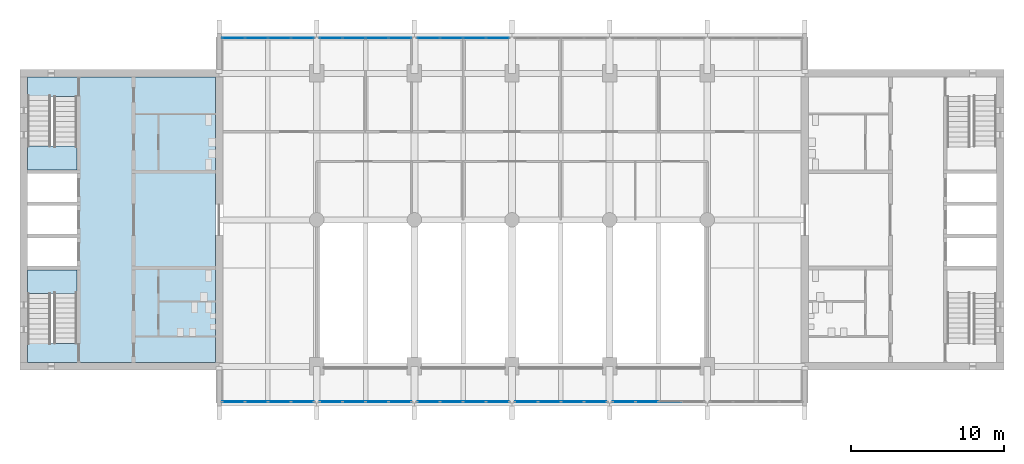
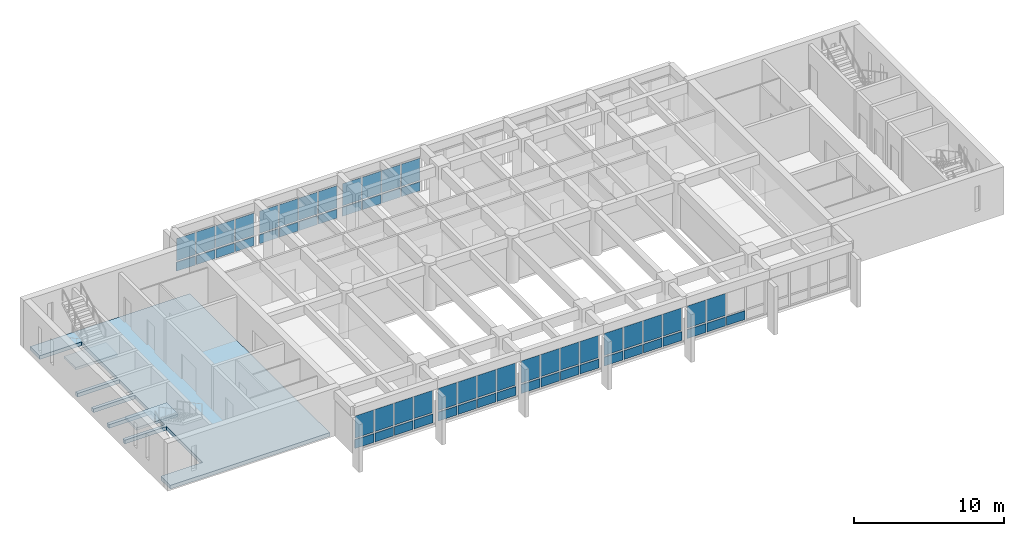
# One storey, part 7 of 15: 61 plates, 3 slabs, 10 elements without a shape of their own.
"""IFC4 building model written with IfcOpenShell, lengths in metres."""

from ifc_helpers import new_model, si_unit, direction, frame, origin, origin_2d, place, context, subcontext, project, spatial, polyline, rectangle, outline, extrude, material, layer, layer_set, type_object, element, aggregate, save


model = new_model("IFC4")

# Units and contexts
model_context = context("Model", 3, precision=1e-05, world=origin(), true_north=direction((0.0, 1.0)))
body_context = subcontext(model_context, "Body", "Model", "MODEL_VIEW")
ifc_project = project(units=[si_unit("LENGTHUNIT", "METRE"), si_unit("AREAUNIT", "SQUARE_METRE"), si_unit("VOLUMEUNIT", "CUBIC_METRE"), si_unit("PLANEANGLEUNIT", "RADIAN"), si_unit("MASSUNIT", "GRAM", prefix="KILO")], contexts=[model_context])

# Site, building, storey
site_placement = place(None, origin())
site = spatial("IfcSite", under=ifc_project, at=site_placement, CompositionType="ELEMENT")
building_placement = place(site_placement, origin())
building = spatial("IfcBuilding", under=site, at=building_placement, Name="Fogon Plaza Fire Station and Headquarters Tower", CompositionType="ELEMENT")
storey_placement = place(building_placement, frame((0.0, 0.0, 36.60009765625)))
storey = spatial("IfcBuildingStorey", under=building, at=storey_placement, Name="L09", CompositionType="ELEMENT", Elevation=36.60009765625)

# Slab
ifc_material_1 = material(Name="Concrete C40", Category="concrete")
ifc_layer_1 = layer(ifc_material_1, 0.300048828125)
ifc_layer_set_1 = layer_set([ifc_layer_1], Name="Concrete C40")
slab_type_1 = type_object("IfcSlabType", Name="Core Floor Slab RC 300", PredefinedType="FLOOR", material=ifc_layer_set_1)
slab_1_placement = place(storey_placement, frame((0.0, 0.0, -0.300048828125)))
element("IfcSlab", 1, at=slab_1_placement, inside=storey, type_object=slab_type_1, Name="Core A floor", PredefinedType="FLOOR", context=body_context, shape_type="SweptSolid", body=[
    extrude(outline(polyline([(13.050048828125, 35.110107421875), (13.050048828125, 33.85009765625), (25.35009765625, 33.85009765625), (25.35009765625, 52.550048828125), (13.050048828125, 52.550048828125), (13.050048828125, 51.2900390625), (16.27490234375, 51.2900390625), (16.27490234375, 46.47509765625), (13.050048828125, 46.47509765625), (13.050048828125, 46.22509765625), (16.27490234375, 46.22509765625), (16.27490234375, 44.375), (13.050048828125, 44.375), (13.050048828125, 44.125), (16.27490234375, 44.125), (16.27490234375, 42.27490234375), (13.050048828125, 42.27490234375), (13.050048828125, 42.02490234375), (16.27490234375, 42.02490234375), (16.27490234375, 40.175048828125), (13.050048828125, 40.175048828125), (13.050048828125, 39.925048828125), (16.27490234375, 39.925048828125), (16.27490234375, 35.110107421875), (13.050048828125, 35.110107421875)])), origin(), (0.0, 0.0, 1.0), 0.300048828125),
])

# Curtain wall, plates
ifc_material_2 = material(Name="Aluminium and glass", Category="aluminium")
ifc_layer_2 = layer(ifc_material_2, 0.14990234375)
ifc_layer_set_2 = layer_set([ifc_layer_2], Name="Aluminium and glass")
curtain_wall_type = type_object("IfcCurtainWallType", Name="Unitised Curtain Wall Run 6100x2880", PredefinedType="NOTDEFINED", material=ifc_layer_set_2)
curtain_wall_1_placement = place(storey_placement, origin())
curtain_wall_1 = element("IfcCurtainWall", 2, at=curtain_wall_1_placement, inside=storey, type_object=curtain_wall_type, Name="CW-6100x2880 S1 L09", PredefinedType="NOTDEFINED")
ifc_material_3 = material(Name="Insulated aluminium spandrel", Category="aluminium")
ifc_layer_3 = layer(ifc_material_3, 0.06005859375)
ifc_layer_set_3 = layer_set([ifc_layer_3], Name="Insulated aluminium spandrel")
plate_type_1 = type_object("IfcPlateType", Name="Insulated Spandrel Panel", PredefinedType="CURTAIN_PANEL", material=ifc_layer_set_3)
plate_1_placement = place(storey_placement, frame((26.534912109375, 31.280029296875, 0.1201171875), z_axis=(0.0, 0.0, 1.0), x_axis=(1.0, 0.0, 0.0)))
plate_1 = element("IfcPlate", 3, at=plate_1_placement, type_object=plate_type_1, Name="SP1 panel 1.1", PredefinedType="CURTAIN_PANEL", context=body_context, shape_type="SweptSolid", body=[
    extrude(rectangle(XDim=1.449951171875, YDim=0.06005859375, at=origin_2d()), origin(), (0.0, 0.0, 1.0), 0.719970703125),
])
plate_2_placement = place(storey_placement, frame((28.044921875, 31.280029296875, 0.1201171875), z_axis=(0.0, 0.0, 1.0), x_axis=(1.0, 0.0, 0.0)))
plate_2 = element("IfcPlate", 4, at=plate_2_placement, type_object=plate_type_1, Name="SP1 panel 2.1", PredefinedType="CURTAIN_PANEL", context=body_context, shape_type="SweptSolid", body=[
    extrude(rectangle(XDim=1.449951171875, YDim=0.06005859375, at=origin_2d()), origin(), (0.0, 0.0, 1.0), 0.719970703125),
])
plate_3_placement = place(storey_placement, frame((29.554931640625, 31.280029296875, 0.1201171875), z_axis=(0.0, 0.0, 1.0), x_axis=(1.0, 0.0, 0.0)))
plate_3 = element("IfcPlate", 5, at=plate_3_placement, type_object=plate_type_1, Name="SP1 panel 3.1", PredefinedType="CURTAIN_PANEL", context=body_context, shape_type="SweptSolid", body=[
    extrude(rectangle(XDim=1.449951171875, YDim=0.06005859375, at=origin_2d()), origin(), (0.0, 0.0, 1.0), 0.719970703125),
])
plate_4_placement = place(storey_placement, frame((31.06494140625, 31.280029296875, 0.1201171875), z_axis=(0.0, 0.0, 1.0), x_axis=(1.0, 0.0, 0.0)))
plate_4 = element("IfcPlate", 6, at=plate_4_placement, type_object=plate_type_1, Name="SP1 panel 4.1", PredefinedType="CURTAIN_PANEL", context=body_context, shape_type="SweptSolid", body=[
    extrude(rectangle(XDim=1.449951171875, YDim=0.06005859375, at=origin_2d()), origin(), (0.0, 0.0, 1.0), 0.719970703125),
])

curtain_wall_2_placement = place(storey_placement, origin())
curtain_wall_2 = element("IfcCurtainWall", 7, at=curtain_wall_2_placement, inside=storey, type_object=curtain_wall_type, Name="CW-6100x2880 S2 L09", PredefinedType="NOTDEFINED")
plate_5_placement = place(storey_placement, frame((32.93505859375, 31.280029296875, 0.1201171875), z_axis=(0.0, 0.0, 1.0), x_axis=(1.0, 0.0, 0.0)))
plate_5 = element("IfcPlate", 8, at=plate_5_placement, type_object=plate_type_1, Name="SP1 panel 1.1", PredefinedType="CURTAIN_PANEL", context=body_context, shape_type="SweptSolid", body=[
    extrude(rectangle(XDim=1.449951171875, YDim=0.06005859375, at=origin_2d()), origin(), (0.0, 0.0, 1.0), 0.719970703125),
])
plate_6_placement = place(storey_placement, frame((34.445068359375, 31.280029296875, 0.1201171875), z_axis=(0.0, 0.0, 1.0), x_axis=(1.0, 0.0, 0.0)))
plate_6 = element("IfcPlate", 9, at=plate_6_placement, type_object=plate_type_1, Name="SP1 panel 2.1", PredefinedType="CURTAIN_PANEL", context=body_context, shape_type="SweptSolid", body=[
    extrude(rectangle(XDim=1.449951171875, YDim=0.06005859375, at=origin_2d()), origin(), (0.0, 0.0, 1.0), 0.719970703125),
])
plate_7_placement = place(storey_placement, frame((35.955078125, 31.280029296875, 0.1201171875), z_axis=(0.0, 0.0, 1.0), x_axis=(1.0, 0.0, 0.0)))
plate_7 = element("IfcPlate", 10, at=plate_7_placement, type_object=plate_type_1, Name="SP1 panel 3.1", PredefinedType="CURTAIN_PANEL", context=body_context, shape_type="SweptSolid", body=[
    extrude(rectangle(XDim=1.449951171875, YDim=0.06005859375, at=origin_2d()), origin(), (0.0, 0.0, 1.0), 0.719970703125),
])
plate_8_placement = place(storey_placement, frame((37.465087890625, 31.280029296875, 0.1201171875), z_axis=(0.0, 0.0, 1.0), x_axis=(1.0, 0.0, 0.0)))
plate_8 = element("IfcPlate", 11, at=plate_8_placement, type_object=plate_type_1, Name="SP1 panel 4.1", PredefinedType="CURTAIN_PANEL", context=body_context, shape_type="SweptSolid", body=[
    extrude(rectangle(XDim=1.449951171875, YDim=0.06005859375, at=origin_2d()), origin(), (0.0, 0.0, 1.0), 0.719970703125),
])

curtain_wall_3_placement = place(storey_placement, origin())
curtain_wall_3 = element("IfcCurtainWall", 12, at=curtain_wall_3_placement, inside=storey, type_object=curtain_wall_type, Name="CW-6100x2880 S3 L09", PredefinedType="NOTDEFINED")
plate_9_placement = place(storey_placement, frame((39.3349609375, 31.280029296875, 0.1201171875), z_axis=(0.0, 0.0, 1.0), x_axis=(1.0, 0.0, 0.0)))
plate_9 = element("IfcPlate", 13, at=plate_9_placement, type_object=plate_type_1, Name="SP1 panel 1.1", PredefinedType="CURTAIN_PANEL", context=body_context, shape_type="SweptSolid", body=[
    extrude(rectangle(XDim=1.449951171875, YDim=0.06005859375, at=origin_2d()), origin(), (0.0, 0.0, 1.0), 0.719970703125),
])
plate_10_placement = place(storey_placement, frame((40.844970703125, 31.280029296875, 0.1201171875), z_axis=(0.0, 0.0, 1.0), x_axis=(1.0, 0.0, 0.0)))
plate_10 = element("IfcPlate", 14, at=plate_10_placement, type_object=plate_type_1, Name="SP1 panel 2.1", PredefinedType="CURTAIN_PANEL", context=body_context, shape_type="SweptSolid", body=[
    extrude(rectangle(XDim=1.449951171875, YDim=0.06005859375, at=origin_2d()), origin(), (0.0, 0.0, 1.0), 0.719970703125),
])
plate_11_placement = place(storey_placement, frame((42.35498046875, 31.280029296875, 0.1201171875), z_axis=(0.0, 0.0, 1.0), x_axis=(1.0, 0.0, 0.0)))
plate_11 = element("IfcPlate", 15, at=plate_11_placement, type_object=plate_type_1, Name="SP1 panel 3.1", PredefinedType="CURTAIN_PANEL", context=body_context, shape_type="SweptSolid", body=[
    extrude(rectangle(XDim=1.449951171875, YDim=0.06005859375, at=origin_2d()), origin(), (0.0, 0.0, 1.0), 0.719970703125),
])
plate_12_placement = place(storey_placement, frame((43.864990234375, 31.280029296875, 0.1201171875), z_axis=(0.0, 0.0, 1.0), x_axis=(1.0, 0.0, 0.0)))
plate_12 = element("IfcPlate", 16, at=plate_12_placement, type_object=plate_type_1, Name="SP1 panel 4.1", PredefinedType="CURTAIN_PANEL", context=body_context, shape_type="SweptSolid", body=[
    extrude(rectangle(XDim=1.449951171875, YDim=0.06005859375, at=origin_2d()), origin(), (0.0, 0.0, 1.0), 0.719970703125),
])

curtain_wall_4_placement = place(storey_placement, origin())
curtain_wall_4 = element("IfcCurtainWall", 17, at=curtain_wall_4_placement, inside=storey, type_object=curtain_wall_type, Name="CW-6100x2880 S4 L09", PredefinedType="NOTDEFINED")
plate_13_placement = place(storey_placement, frame((45.735107421875, 31.280029296875, 0.1201171875), z_axis=(0.0, 0.0, 1.0), x_axis=(1.0, 0.0, 0.0)))
plate_13 = element("IfcPlate", 18, at=plate_13_placement, type_object=plate_type_1, Name="SP1 panel 1.1", PredefinedType="CURTAIN_PANEL", context=body_context, shape_type="SweptSolid", body=[
    extrude(rectangle(XDim=1.449951171875, YDim=0.06005859375, at=origin_2d()), origin(), (0.0, 0.0, 1.0), 0.719970703125),
])
plate_14_placement = place(storey_placement, frame((47.2451171875, 31.280029296875, 0.1201171875), z_axis=(0.0, 0.0, 1.0), x_axis=(1.0, 0.0, 0.0)))
plate_14 = element("IfcPlate", 19, at=plate_14_placement, type_object=plate_type_1, Name="SP1 panel 2.1", PredefinedType="CURTAIN_PANEL", context=body_context, shape_type="SweptSolid", body=[
    extrude(rectangle(XDim=1.449951171875, YDim=0.06005859375, at=origin_2d()), origin(), (0.0, 0.0, 1.0), 0.719970703125),
])
plate_15_placement = place(storey_placement, frame((48.7548828125, 31.280029296875, 0.1201171875), z_axis=(0.0, 0.0, 1.0), x_axis=(1.0, 0.0, 0.0)))
plate_15 = element("IfcPlate", 20, at=plate_15_placement, type_object=plate_type_1, Name="SP1 panel 3.1", PredefinedType="CURTAIN_PANEL", context=body_context, shape_type="SweptSolid", body=[
    extrude(rectangle(XDim=1.449951171875, YDim=0.06005859375, at=origin_2d()), origin(), (0.0, 0.0, 1.0), 0.719970703125),
])
plate_16_placement = place(storey_placement, frame((50.264892578125, 31.280029296875, 0.1201171875), z_axis=(0.0, 0.0, 1.0), x_axis=(1.0, 0.0, 0.0)))
plate_16 = element("IfcPlate", 21, at=plate_16_placement, type_object=plate_type_1, Name="SP1 panel 4.1", PredefinedType="CURTAIN_PANEL", context=body_context, shape_type="SweptSolid", body=[
    extrude(rectangle(XDim=1.449951171875, YDim=0.06005859375, at=origin_2d()), origin(), (0.0, 0.0, 1.0), 0.719970703125),
])

curtain_wall_5_placement = place(storey_placement, origin())
curtain_wall_5 = element("IfcCurtainWall", 22, at=curtain_wall_5_placement, inside=storey, type_object=curtain_wall_type, Name="CW-6100x2880 S5 L09", PredefinedType="NOTDEFINED")
plate_17_placement = place(storey_placement, frame((52.135009765625, 31.280029296875, 0.1201171875), z_axis=(0.0, 0.0, 1.0), x_axis=(1.0, 0.0, 0.0)))
plate_17 = element("IfcPlate", 23, at=plate_17_placement, type_object=plate_type_1, Name="SP1 panel 1.1", PredefinedType="CURTAIN_PANEL", context=body_context, shape_type="SweptSolid", body=[
    extrude(rectangle(XDim=1.449951171875, YDim=0.06005859375, at=origin_2d()), origin(), (0.0, 0.0, 1.0), 0.719970703125),
])
plate_18_placement = place(storey_placement, frame((53.64501953125, 31.280029296875, 0.1201171875), z_axis=(0.0, 0.0, 1.0), x_axis=(1.0, 0.0, 0.0)))
plate_18 = element("IfcPlate", 24, at=plate_18_placement, type_object=plate_type_1, Name="SP1 panel 2.1", PredefinedType="CURTAIN_PANEL", context=body_context, shape_type="SweptSolid", body=[
    extrude(rectangle(XDim=1.449951171875, YDim=0.06005859375, at=origin_2d()), origin(), (0.0, 0.0, 1.0), 0.719970703125),
])
plate_19_placement = place(storey_placement, frame((55.155029296875, 31.280029296875, 0.1201171875), z_axis=(0.0, 0.0, 1.0), x_axis=(1.0, 0.0, 0.0)))
plate_19 = element("IfcPlate", 25, at=plate_19_placement, type_object=plate_type_1, Name="SP1 panel 3.1", PredefinedType="CURTAIN_PANEL", context=body_context, shape_type="SweptSolid", body=[
    extrude(rectangle(XDim=1.449951171875, YDim=0.06005859375, at=origin_2d()), origin(), (0.0, 0.0, 1.0), 0.719970703125),
])

curtain_wall_6_placement = place(storey_placement, origin())
curtain_wall_6 = element("IfcCurtainWall", 26, at=curtain_wall_6_placement, inside=storey, type_object=curtain_wall_type, Name="CW-6100x2880 N1 L09", PredefinedType="NOTDEFINED")
plate_20_placement = place(storey_placement, frame((26.534912109375, 55.1201171875, 0.1201171875), z_axis=(0.0, 0.0, 1.0), x_axis=(1.0, 0.0, 0.0)))
plate_20 = element("IfcPlate", 27, at=plate_20_placement, type_object=plate_type_1, Name="SP1 panel 1.1", PredefinedType="CURTAIN_PANEL", context=body_context, shape_type="SweptSolid", body=[
    extrude(rectangle(XDim=1.449951171875, YDim=0.06005859375, at=origin_2d()), origin(), (0.0, 0.0, 1.0), 0.719970703125),
])
plate_21_placement = place(storey_placement, frame((28.044921875, 55.1201171875, 0.1201171875), z_axis=(0.0, 0.0, 1.0), x_axis=(1.0, 0.0, 0.0)))
plate_21 = element("IfcPlate", 28, at=plate_21_placement, type_object=plate_type_1, Name="SP1 panel 2.1", PredefinedType="CURTAIN_PANEL", context=body_context, shape_type="SweptSolid", body=[
    extrude(rectangle(XDim=1.449951171875, YDim=0.06005859375, at=origin_2d()), origin(), (0.0, 0.0, 1.0), 0.719970703125),
])
plate_22_placement = place(storey_placement, frame((29.554931640625, 55.1201171875, 0.1201171875), z_axis=(0.0, 0.0, 1.0), x_axis=(1.0, 0.0, 0.0)))
plate_22 = element("IfcPlate", 29, at=plate_22_placement, type_object=plate_type_1, Name="SP1 panel 3.1", PredefinedType="CURTAIN_PANEL", context=body_context, shape_type="SweptSolid", body=[
    extrude(rectangle(XDim=1.449951171875, YDim=0.06005859375, at=origin_2d()), origin(), (0.0, 0.0, 1.0), 0.719970703125),
])
plate_23_placement = place(storey_placement, frame((31.06494140625, 55.1201171875, 0.1201171875), z_axis=(0.0, 0.0, 1.0), x_axis=(1.0, 0.0, 0.0)))
plate_23 = element("IfcPlate", 30, at=plate_23_placement, type_object=plate_type_1, Name="SP1 panel 4.1", PredefinedType="CURTAIN_PANEL", context=body_context, shape_type="SweptSolid", body=[
    extrude(rectangle(XDim=1.449951171875, YDim=0.06005859375, at=origin_2d()), origin(), (0.0, 0.0, 1.0), 0.719970703125),
])

curtain_wall_7_placement = place(storey_placement, origin())
curtain_wall_7 = element("IfcCurtainWall", 31, at=curtain_wall_7_placement, inside=storey, type_object=curtain_wall_type, Name="CW-6100x2880 N2 L09", PredefinedType="NOTDEFINED")
plate_24_placement = place(storey_placement, frame((32.93505859375, 55.1201171875, 0.1201171875), z_axis=(0.0, 0.0, 1.0), x_axis=(1.0, 0.0, 0.0)))
plate_24 = element("IfcPlate", 32, at=plate_24_placement, type_object=plate_type_1, Name="SP1 panel 1.1", PredefinedType="CURTAIN_PANEL", context=body_context, shape_type="SweptSolid", body=[
    extrude(rectangle(XDim=1.449951171875, YDim=0.06005859375, at=origin_2d()), origin(), (0.0, 0.0, 1.0), 0.719970703125),
])
plate_25_placement = place(storey_placement, frame((34.445068359375, 55.1201171875, 0.1201171875), z_axis=(0.0, 0.0, 1.0), x_axis=(1.0, 0.0, 0.0)))
plate_25 = element("IfcPlate", 33, at=plate_25_placement, type_object=plate_type_1, Name="SP1 panel 2.1", PredefinedType="CURTAIN_PANEL", context=body_context, shape_type="SweptSolid", body=[
    extrude(rectangle(XDim=1.449951171875, YDim=0.06005859375, at=origin_2d()), origin(), (0.0, 0.0, 1.0), 0.719970703125),
])
plate_26_placement = place(storey_placement, frame((35.955078125, 55.1201171875, 0.1201171875), z_axis=(0.0, 0.0, 1.0), x_axis=(1.0, 0.0, 0.0)))
plate_26 = element("IfcPlate", 34, at=plate_26_placement, type_object=plate_type_1, Name="SP1 panel 3.1", PredefinedType="CURTAIN_PANEL", context=body_context, shape_type="SweptSolid", body=[
    extrude(rectangle(XDim=1.449951171875, YDim=0.06005859375, at=origin_2d()), origin(), (0.0, 0.0, 1.0), 0.719970703125),
])
plate_27_placement = place(storey_placement, frame((37.465087890625, 55.1201171875, 0.1201171875), z_axis=(0.0, 0.0, 1.0), x_axis=(1.0, 0.0, 0.0)))
plate_27 = element("IfcPlate", 35, at=plate_27_placement, type_object=plate_type_1, Name="SP1 panel 4.1", PredefinedType="CURTAIN_PANEL", context=body_context, shape_type="SweptSolid", body=[
    extrude(rectangle(XDim=1.449951171875, YDim=0.06005859375, at=origin_2d()), origin(), (0.0, 0.0, 1.0), 0.719970703125),
])

curtain_wall_8_placement = place(storey_placement, origin())
curtain_wall_8 = element("IfcCurtainWall", 36, at=curtain_wall_8_placement, inside=storey, type_object=curtain_wall_type, Name="CW-6100x2880 N3 L09", PredefinedType="NOTDEFINED")
plate_28_placement = place(storey_placement, frame((39.3349609375, 55.1201171875, 0.1201171875), z_axis=(0.0, 0.0, 1.0), x_axis=(1.0, 0.0, 0.0)))
plate_28 = element("IfcPlate", 37, at=plate_28_placement, type_object=plate_type_1, Name="SP1 panel 1.1", PredefinedType="CURTAIN_PANEL", context=body_context, shape_type="SweptSolid", body=[
    extrude(rectangle(XDim=1.449951171875, YDim=0.06005859375, at=origin_2d()), origin(), (0.0, 0.0, 1.0), 0.719970703125),
])
plate_29_placement = place(storey_placement, frame((40.844970703125, 55.1201171875, 0.1201171875), z_axis=(0.0, 0.0, 1.0), x_axis=(1.0, 0.0, 0.0)))
plate_29 = element("IfcPlate", 38, at=plate_29_placement, type_object=plate_type_1, Name="SP1 panel 2.1", PredefinedType="CURTAIN_PANEL", context=body_context, shape_type="SweptSolid", body=[
    extrude(rectangle(XDim=1.449951171875, YDim=0.06005859375, at=origin_2d()), origin(), (0.0, 0.0, 1.0), 0.719970703125),
])
plate_30_placement = place(storey_placement, frame((42.35498046875, 55.1201171875, 0.1201171875), z_axis=(0.0, 0.0, 1.0), x_axis=(1.0, 0.0, 0.0)))
plate_30 = element("IfcPlate", 39, at=plate_30_placement, type_object=plate_type_1, Name="SP1 panel 3.1", PredefinedType="CURTAIN_PANEL", context=body_context, shape_type="SweptSolid", body=[
    extrude(rectangle(XDim=1.449951171875, YDim=0.06005859375, at=origin_2d()), origin(), (0.0, 0.0, 1.0), 0.719970703125),
])
plate_31_placement = place(storey_placement, frame((43.864990234375, 55.1201171875, 0.1201171875), z_axis=(0.0, 0.0, 1.0), x_axis=(1.0, 0.0, 0.0)))
plate_31 = element("IfcPlate", 40, at=plate_31_placement, type_object=plate_type_1, Name="SP1 panel 4.1", PredefinedType="CURTAIN_PANEL", context=body_context, shape_type="SweptSolid", body=[
    extrude(rectangle(XDim=1.449951171875, YDim=0.06005859375, at=origin_2d()), origin(), (0.0, 0.0, 1.0), 0.719970703125),
])

# Stair, slab
ifc_material_4 = material(Name="Concrete C40", Category="concrete")
stair_type = type_object("IfcStairType", Name="Exit Stair Two Flights", PredefinedType="TWO_STRAIGHT_RUN_STAIR", material=ifc_material_4)
stair_1_placement = place(storey_placement, origin())
stair_1 = element("IfcStair", 41, at=stair_1_placement, inside=storey, type_object=stair_type, Name="Stair ST1", PredefinedType="TWO_STRAIGHT_RUN_STAIR")
ifc_material_5 = material(Name="Concrete C40", Category="concrete")
ifc_layer_4 = layer(ifc_material_5, 0.300048828125)
ifc_layer_set_4 = layer_set([ifc_layer_4], Name="Concrete C40")
slab_type_2 = type_object("IfcSlabType", Name="Stair Landing RC 300", PredefinedType="LANDING", material=ifc_layer_set_4)
slab_2_placement = place(storey_placement, frame((0.0, 0.0, 1.75)))
slab_2 = element("IfcSlab", 42, at=slab_2_placement, type_object=slab_type_2, Name="ST1 landing L11", PredefinedType="LANDING", context=body_context, shape_type="SweptSolid", body=[
    extrude(outline(polyline([(16.27490234375, 38.375), (16.27490234375, 39.925048828125), (13.050048828125, 39.925048828125), (13.050048828125, 38.375), (16.27490234375, 38.375)])), origin(), (0.0, 0.0, 1.0), 0.199951171875),
])
aggregate(stair_1, [slab_2])

stair_2_placement = place(storey_placement, origin())
stair_2 = element("IfcStair", 43, at=stair_2_placement, inside=storey, type_object=stair_type, Name="Stair ST2", PredefinedType="TWO_STRAIGHT_RUN_STAIR")
slab_3_placement = place(storey_placement, frame((0.0, 0.0, 1.75)))
slab_3 = element("IfcSlab", 44, at=slab_3_placement, type_object=slab_type_2, Name="ST2 landing L11", PredefinedType="LANDING", context=body_context, shape_type="SweptSolid", body=[
    extrude(outline(polyline([(16.27490234375, 46.47509765625), (16.27490234375, 48.02490234375), (13.050048828125, 48.02490234375), (13.050048828125, 46.47509765625), (16.27490234375, 46.47509765625)])), origin(), (0.0, 0.0, 1.0), 0.199951171875),
])
aggregate(stair_2, [slab_3])

# Plate
ifc_material_6 = material(Name="Low-e double glazing", Category="glass")
ifc_layer_5 = layer(ifc_material_6, 0.028076171875)
ifc_layer_set_5 = layer_set([ifc_layer_5], Name="Low-e double glazing")
plate_type_2 = type_object("IfcPlateType", Name="Vision Glass Panel 1450x1800", PredefinedType="CURTAIN_PANEL", material=ifc_layer_set_5)
plate_32_placement = place(storey_placement, frame((26.534912109375, 31.280029296875, 0.9599609375), z_axis=(0.0, 0.0, 1.0), x_axis=(1.0, 0.0, 0.0)))
plate_32 = element("IfcPlate", 45, at=plate_32_placement, type_object=plate_type_2, Name="VG-1450x1800 panel 1.2", PredefinedType="CURTAIN_PANEL", context=body_context, shape_type="SweptSolid", body=[
    extrude(rectangle(XDim=1.449951171875, YDim=0.028076171875, at=origin_2d()), origin(), (0.0, 0.0, 1.0), 1.800048828125),
])

plate_33_placement = place(storey_placement, frame((28.044921875, 31.280029296875, 0.9599609375), z_axis=(0.0, 0.0, 1.0), x_axis=(1.0, 0.0, 0.0)))
plate_33 = element("IfcPlate", 46, at=plate_33_placement, type_object=plate_type_2, Name="VG-1450x1800 panel 2.2", PredefinedType="CURTAIN_PANEL", context=body_context, shape_type="SweptSolid", body=[
    extrude(rectangle(XDim=1.449951171875, YDim=0.028076171875, at=origin_2d()), origin(), (0.0, 0.0, 1.0), 1.800048828125),
])

plate_34_placement = place(storey_placement, frame((29.554931640625, 31.280029296875, 0.9599609375), z_axis=(0.0, 0.0, 1.0), x_axis=(1.0, 0.0, 0.0)))
plate_34 = element("IfcPlate", 47, at=plate_34_placement, type_object=plate_type_2, Name="VG-1450x1800 panel 3.2", PredefinedType="CURTAIN_PANEL", context=body_context, shape_type="SweptSolid", body=[
    extrude(rectangle(XDim=1.449951171875, YDim=0.028076171875, at=origin_2d()), origin(), (0.0, 0.0, 1.0), 1.800048828125),
])

plate_35_placement = place(storey_placement, frame((31.06494140625, 31.280029296875, 0.9599609375), z_axis=(0.0, 0.0, 1.0), x_axis=(1.0, 0.0, 0.0)))
plate_35 = element("IfcPlate", 48, at=plate_35_placement, type_object=plate_type_2, Name="VG-1450x1800 panel 4.2", PredefinedType="CURTAIN_PANEL", context=body_context, shape_type="SweptSolid", body=[
    extrude(rectangle(XDim=1.449951171875, YDim=0.028076171875, at=origin_2d()), origin(), (0.0, 0.0, 1.0), 1.800048828125),
])

aggregate(curtain_wall_1, [plate_1, plate_32, plate_2, plate_33, plate_3, plate_34, plate_4, plate_35])

plate_36_placement = place(storey_placement, frame((32.93505859375, 31.280029296875, 0.9599609375), z_axis=(0.0, 0.0, 1.0), x_axis=(1.0, 0.0, 0.0)))
plate_36 = element("IfcPlate", 49, at=plate_36_placement, type_object=plate_type_2, Name="VG-1450x1800 panel 1.2", PredefinedType="CURTAIN_PANEL", context=body_context, shape_type="SweptSolid", body=[
    extrude(rectangle(XDim=1.449951171875, YDim=0.028076171875, at=origin_2d()), origin(), (0.0, 0.0, 1.0), 1.800048828125),
])

plate_37_placement = place(storey_placement, frame((34.445068359375, 31.280029296875, 0.9599609375), z_axis=(0.0, 0.0, 1.0), x_axis=(1.0, 0.0, 0.0)))
plate_37 = element("IfcPlate", 50, at=plate_37_placement, type_object=plate_type_2, Name="VG-1450x1800 panel 2.2", PredefinedType="CURTAIN_PANEL", context=body_context, shape_type="SweptSolid", body=[
    extrude(rectangle(XDim=1.449951171875, YDim=0.028076171875, at=origin_2d()), origin(), (0.0, 0.0, 1.0), 1.800048828125),
])

plate_38_placement = place(storey_placement, frame((35.955078125, 31.280029296875, 0.9599609375), z_axis=(0.0, 0.0, 1.0), x_axis=(1.0, 0.0, 0.0)))
plate_38 = element("IfcPlate", 51, at=plate_38_placement, type_object=plate_type_2, Name="VG-1450x1800 panel 3.2", PredefinedType="CURTAIN_PANEL", context=body_context, shape_type="SweptSolid", body=[
    extrude(rectangle(XDim=1.449951171875, YDim=0.028076171875, at=origin_2d()), origin(), (0.0, 0.0, 1.0), 1.800048828125),
])

plate_39_placement = place(storey_placement, frame((37.465087890625, 31.280029296875, 0.9599609375), z_axis=(0.0, 0.0, 1.0), x_axis=(1.0, 0.0, 0.0)))
plate_39 = element("IfcPlate", 52, at=plate_39_placement, type_object=plate_type_2, Name="VG-1450x1800 panel 4.2", PredefinedType="CURTAIN_PANEL", context=body_context, shape_type="SweptSolid", body=[
    extrude(rectangle(XDim=1.449951171875, YDim=0.028076171875, at=origin_2d()), origin(), (0.0, 0.0, 1.0), 1.800048828125),
])

aggregate(curtain_wall_2, [plate_5, plate_36, plate_6, plate_37, plate_7, plate_38, plate_8, plate_39])

plate_40_placement = place(storey_placement, frame((39.3349609375, 31.280029296875, 0.9599609375), z_axis=(0.0, 0.0, 1.0), x_axis=(1.0, 0.0, 0.0)))
plate_40 = element("IfcPlate", 53, at=plate_40_placement, type_object=plate_type_2, Name="VG-1450x1800 panel 1.2", PredefinedType="CURTAIN_PANEL", context=body_context, shape_type="SweptSolid", body=[
    extrude(rectangle(XDim=1.449951171875, YDim=0.028076171875, at=origin_2d()), origin(), (0.0, 0.0, 1.0), 1.800048828125),
])

plate_41_placement = place(storey_placement, frame((40.844970703125, 31.280029296875, 0.9599609375), z_axis=(0.0, 0.0, 1.0), x_axis=(1.0, 0.0, 0.0)))
plate_41 = element("IfcPlate", 54, at=plate_41_placement, type_object=plate_type_2, Name="VG-1450x1800 panel 2.2", PredefinedType="CURTAIN_PANEL", context=body_context, shape_type="SweptSolid", body=[
    extrude(rectangle(XDim=1.449951171875, YDim=0.028076171875, at=origin_2d()), origin(), (0.0, 0.0, 1.0), 1.800048828125),
])

plate_42_placement = place(storey_placement, frame((42.35498046875, 31.280029296875, 0.9599609375), z_axis=(0.0, 0.0, 1.0), x_axis=(1.0, 0.0, 0.0)))
plate_42 = element("IfcPlate", 55, at=plate_42_placement, type_object=plate_type_2, Name="VG-1450x1800 panel 3.2", PredefinedType="CURTAIN_PANEL", context=body_context, shape_type="SweptSolid", body=[
    extrude(rectangle(XDim=1.449951171875, YDim=0.028076171875, at=origin_2d()), origin(), (0.0, 0.0, 1.0), 1.800048828125),
])

plate_43_placement = place(storey_placement, frame((43.864990234375, 31.280029296875, 0.9599609375), z_axis=(0.0, 0.0, 1.0), x_axis=(1.0, 0.0, 0.0)))
plate_43 = element("IfcPlate", 56, at=plate_43_placement, type_object=plate_type_2, Name="VG-1450x1800 panel 4.2", PredefinedType="CURTAIN_PANEL", context=body_context, shape_type="SweptSolid", body=[
    extrude(rectangle(XDim=1.449951171875, YDim=0.028076171875, at=origin_2d()), origin(), (0.0, 0.0, 1.0), 1.800048828125),
])

aggregate(curtain_wall_3, [plate_9, plate_40, plate_10, plate_41, plate_11, plate_42, plate_12, plate_43])

plate_44_placement = place(storey_placement, frame((45.735107421875, 31.280029296875, 0.9599609375), z_axis=(0.0, 0.0, 1.0), x_axis=(1.0, 0.0, 0.0)))
plate_44 = element("IfcPlate", 57, at=plate_44_placement, type_object=plate_type_2, Name="VG-1450x1800 panel 1.2", PredefinedType="CURTAIN_PANEL", context=body_context, shape_type="SweptSolid", body=[
    extrude(rectangle(XDim=1.449951171875, YDim=0.028076171875, at=origin_2d()), origin(), (0.0, 0.0, 1.0), 1.800048828125),
])

plate_45_placement = place(storey_placement, frame((47.2451171875, 31.280029296875, 0.9599609375), z_axis=(0.0, 0.0, 1.0), x_axis=(1.0, 0.0, 0.0)))
plate_45 = element("IfcPlate", 58, at=plate_45_placement, type_object=plate_type_2, Name="VG-1450x1800 panel 2.2", PredefinedType="CURTAIN_PANEL", context=body_context, shape_type="SweptSolid", body=[
    extrude(rectangle(XDim=1.449951171875, YDim=0.028076171875, at=origin_2d()), origin(), (0.0, 0.0, 1.0), 1.800048828125),
])

plate_46_placement = place(storey_placement, frame((48.7548828125, 31.280029296875, 0.9599609375), z_axis=(0.0, 0.0, 1.0), x_axis=(1.0, 0.0, 0.0)))
plate_46 = element("IfcPlate", 59, at=plate_46_placement, type_object=plate_type_2, Name="VG-1450x1800 panel 3.2", PredefinedType="CURTAIN_PANEL", context=body_context, shape_type="SweptSolid", body=[
    extrude(rectangle(XDim=1.449951171875, YDim=0.028076171875, at=origin_2d()), origin(), (0.0, 0.0, 1.0), 1.800048828125),
])

plate_47_placement = place(storey_placement, frame((50.264892578125, 31.280029296875, 0.9599609375), z_axis=(0.0, 0.0, 1.0), x_axis=(1.0, 0.0, 0.0)))
plate_47 = element("IfcPlate", 60, at=plate_47_placement, type_object=plate_type_2, Name="VG-1450x1800 panel 4.2", PredefinedType="CURTAIN_PANEL", context=body_context, shape_type="SweptSolid", body=[
    extrude(rectangle(XDim=1.449951171875, YDim=0.028076171875, at=origin_2d()), origin(), (0.0, 0.0, 1.0), 1.800048828125),
])

aggregate(curtain_wall_4, [plate_13, plate_44, plate_14, plate_45, plate_15, plate_46, plate_16, plate_47])

plate_48_placement = place(storey_placement, frame((52.135009765625, 31.280029296875, 0.9599609375), z_axis=(0.0, 0.0, 1.0), x_axis=(1.0, 0.0, 0.0)))
plate_48 = element("IfcPlate", 61, at=plate_48_placement, type_object=plate_type_2, Name="VG-1450x1800 panel 1.2", PredefinedType="CURTAIN_PANEL", context=body_context, shape_type="SweptSolid", body=[
    extrude(rectangle(XDim=1.449951171875, YDim=0.028076171875, at=origin_2d()), origin(), (0.0, 0.0, 1.0), 1.800048828125),
])

plate_49_placement = place(storey_placement, frame((53.64501953125, 31.280029296875, 0.9599609375), z_axis=(0.0, 0.0, 1.0), x_axis=(1.0, 0.0, 0.0)))
plate_49 = element("IfcPlate", 62, at=plate_49_placement, type_object=plate_type_2, Name="VG-1450x1800 panel 2.2", PredefinedType="CURTAIN_PANEL", context=body_context, shape_type="SweptSolid", body=[
    extrude(rectangle(XDim=1.449951171875, YDim=0.028076171875, at=origin_2d()), origin(), (0.0, 0.0, 1.0), 1.800048828125),
])

aggregate(curtain_wall_5, [plate_17, plate_48, plate_18, plate_49, plate_19])

plate_50_placement = place(storey_placement, frame((26.534912109375, 55.1201171875, 0.9599609375), z_axis=(0.0, 0.0, 1.0), x_axis=(1.0, 0.0, 0.0)))
plate_50 = element("IfcPlate", 63, at=plate_50_placement, type_object=plate_type_2, Name="VG-1450x1800 panel 1.2", PredefinedType="CURTAIN_PANEL", context=body_context, shape_type="SweptSolid", body=[
    extrude(rectangle(XDim=1.449951171875, YDim=0.028076171875, at=origin_2d()), origin(), (0.0, 0.0, 1.0), 1.800048828125),
])

plate_51_placement = place(storey_placement, frame((28.044921875, 55.1201171875, 0.9599609375), z_axis=(0.0, 0.0, 1.0), x_axis=(1.0, 0.0, 0.0)))
plate_51 = element("IfcPlate", 64, at=plate_51_placement, type_object=plate_type_2, Name="VG-1450x1800 panel 2.2", PredefinedType="CURTAIN_PANEL", context=body_context, shape_type="SweptSolid", body=[
    extrude(rectangle(XDim=1.449951171875, YDim=0.028076171875, at=origin_2d()), origin(), (0.0, 0.0, 1.0), 1.800048828125),
])

plate_52_placement = place(storey_placement, frame((29.554931640625, 55.1201171875, 0.9599609375), z_axis=(0.0, 0.0, 1.0), x_axis=(1.0, 0.0, 0.0)))
plate_52 = element("IfcPlate", 65, at=plate_52_placement, type_object=plate_type_2, Name="VG-1450x1800 panel 3.2", PredefinedType="CURTAIN_PANEL", context=body_context, shape_type="SweptSolid", body=[
    extrude(rectangle(XDim=1.449951171875, YDim=0.028076171875, at=origin_2d()), origin(), (0.0, 0.0, 1.0), 1.800048828125),
])

plate_53_placement = place(storey_placement, frame((31.06494140625, 55.1201171875, 0.9599609375), z_axis=(0.0, 0.0, 1.0), x_axis=(1.0, 0.0, 0.0)))
plate_53 = element("IfcPlate", 66, at=plate_53_placement, type_object=plate_type_2, Name="VG-1450x1800 panel 4.2", PredefinedType="CURTAIN_PANEL", context=body_context, shape_type="SweptSolid", body=[
    extrude(rectangle(XDim=1.449951171875, YDim=0.028076171875, at=origin_2d()), origin(), (0.0, 0.0, 1.0), 1.800048828125),
])

aggregate(curtain_wall_6, [plate_20, plate_50, plate_21, plate_51, plate_22, plate_52, plate_23, plate_53])

plate_54_placement = place(storey_placement, frame((32.93505859375, 55.1201171875, 0.9599609375), z_axis=(0.0, 0.0, 1.0), x_axis=(1.0, 0.0, 0.0)))
plate_54 = element("IfcPlate", 67, at=plate_54_placement, type_object=plate_type_2, Name="VG-1450x1800 panel 1.2", PredefinedType="CURTAIN_PANEL", context=body_context, shape_type="SweptSolid", body=[
    extrude(rectangle(XDim=1.449951171875, YDim=0.028076171875, at=origin_2d()), origin(), (0.0, 0.0, 1.0), 1.800048828125),
])

plate_55_placement = place(storey_placement, frame((34.445068359375, 55.1201171875, 0.9599609375), z_axis=(0.0, 0.0, 1.0), x_axis=(1.0, 0.0, 0.0)))
plate_55 = element("IfcPlate", 68, at=plate_55_placement, type_object=plate_type_2, Name="VG-1450x1800 panel 2.2", PredefinedType="CURTAIN_PANEL", context=body_context, shape_type="SweptSolid", body=[
    extrude(rectangle(XDim=1.449951171875, YDim=0.028076171875, at=origin_2d()), origin(), (0.0, 0.0, 1.0), 1.800048828125),
])

plate_56_placement = place(storey_placement, frame((35.955078125, 55.1201171875, 0.9599609375), z_axis=(0.0, 0.0, 1.0), x_axis=(1.0, 0.0, 0.0)))
plate_56 = element("IfcPlate", 69, at=plate_56_placement, type_object=plate_type_2, Name="VG-1450x1800 panel 3.2", PredefinedType="CURTAIN_PANEL", context=body_context, shape_type="SweptSolid", body=[
    extrude(rectangle(XDim=1.449951171875, YDim=0.028076171875, at=origin_2d()), origin(), (0.0, 0.0, 1.0), 1.800048828125),
])

plate_57_placement = place(storey_placement, frame((37.465087890625, 55.1201171875, 0.9599609375), z_axis=(0.0, 0.0, 1.0), x_axis=(1.0, 0.0, 0.0)))
plate_57 = element("IfcPlate", 70, at=plate_57_placement, type_object=plate_type_2, Name="VG-1450x1800 panel 4.2", PredefinedType="CURTAIN_PANEL", context=body_context, shape_type="SweptSolid", body=[
    extrude(rectangle(XDim=1.449951171875, YDim=0.028076171875, at=origin_2d()), origin(), (0.0, 0.0, 1.0), 1.800048828125),
])

aggregate(curtain_wall_7, [plate_24, plate_54, plate_25, plate_55, plate_26, plate_56, plate_27, plate_57])

plate_58_placement = place(storey_placement, frame((39.3349609375, 55.1201171875, 0.9599609375), z_axis=(0.0, 0.0, 1.0), x_axis=(1.0, 0.0, 0.0)))
plate_58 = element("IfcPlate", 71, at=plate_58_placement, type_object=plate_type_2, Name="VG-1450x1800 panel 1.2", PredefinedType="CURTAIN_PANEL", context=body_context, shape_type="SweptSolid", body=[
    extrude(rectangle(XDim=1.449951171875, YDim=0.028076171875, at=origin_2d()), origin(), (0.0, 0.0, 1.0), 1.800048828125),
])

plate_59_placement = place(storey_placement, frame((40.844970703125, 55.1201171875, 0.9599609375), z_axis=(0.0, 0.0, 1.0), x_axis=(1.0, 0.0, 0.0)))
plate_59 = element("IfcPlate", 72, at=plate_59_placement, type_object=plate_type_2, Name="VG-1450x1800 panel 2.2", PredefinedType="CURTAIN_PANEL", context=body_context, shape_type="SweptSolid", body=[
    extrude(rectangle(XDim=1.449951171875, YDim=0.028076171875, at=origin_2d()), origin(), (0.0, 0.0, 1.0), 1.800048828125),
])

plate_60_placement = place(storey_placement, frame((42.35498046875, 55.1201171875, 0.9599609375), z_axis=(0.0, 0.0, 1.0), x_axis=(1.0, 0.0, 0.0)))
plate_60 = element("IfcPlate", 73, at=plate_60_placement, type_object=plate_type_2, Name="VG-1450x1800 panel 3.2", PredefinedType="CURTAIN_PANEL", context=body_context, shape_type="SweptSolid", body=[
    extrude(rectangle(XDim=1.449951171875, YDim=0.028076171875, at=origin_2d()), origin(), (0.0, 0.0, 1.0), 1.800048828125),
])

plate_61_placement = place(storey_placement, frame((43.864990234375, 55.1201171875, 0.9599609375), z_axis=(0.0, 0.0, 1.0), x_axis=(1.0, 0.0, 0.0)))
plate_61 = element("IfcPlate", 74, at=plate_61_placement, type_object=plate_type_2, Name="VG-1450x1800 panel 4.2", PredefinedType="CURTAIN_PANEL", context=body_context, shape_type="SweptSolid", body=[
    extrude(rectangle(XDim=1.449951171875, YDim=0.028076171875, at=origin_2d()), origin(), (0.0, 0.0, 1.0), 1.800048828125),
])

aggregate(curtain_wall_8, [plate_28, plate_58, plate_29, plate_59, plate_30, plate_60, plate_31, plate_61])

save(model, "model.ifc")
